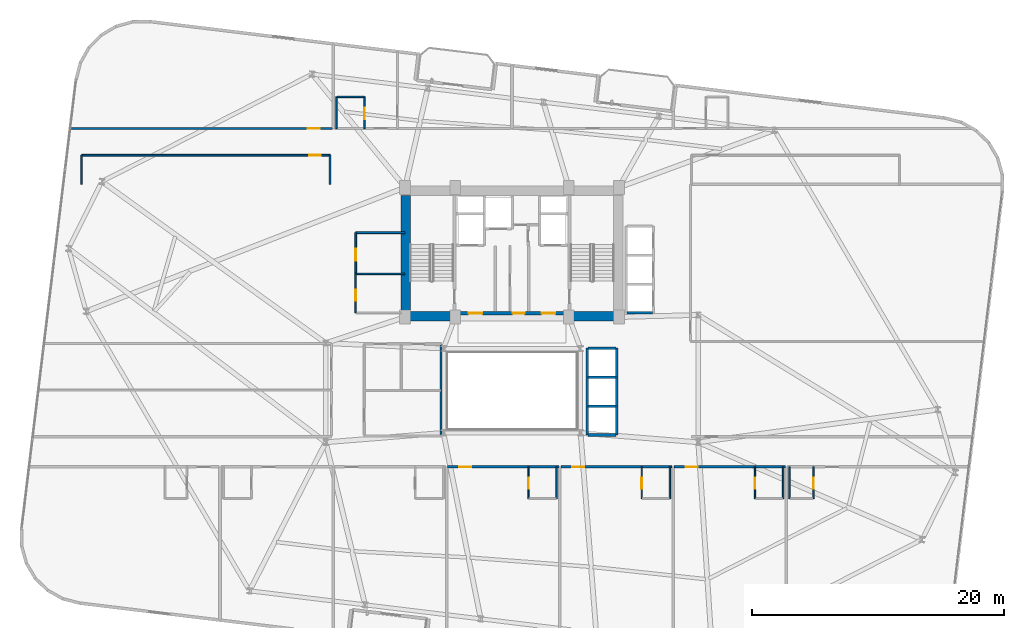
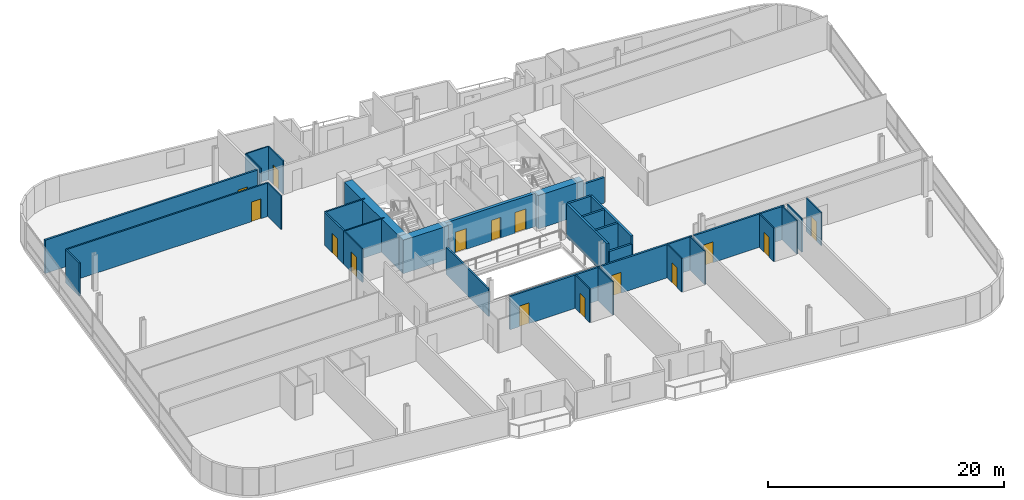
# One storey, part 21 of 26: 34 walls, 15 doors, 15 openings.
"""IFC4 building model written with IfcOpenShell, lengths in metres."""

from ifc_helpers import new_model, si_unit, direction, frame, frame_2d, origin, place, context, subcontext, project, spatial, rectangle, extrude, material, layer, layer_set, type_object, element, fill, save


model = new_model("IFC4")

# Units and contexts
model_context = context("Model", 3, precision=1e-05, world=origin(), true_north=direction((0.0, 1.0)))
body_context = subcontext(model_context, "Body", "Model", "MODEL_VIEW")
ifc_project = project(units=[si_unit("LENGTHUNIT", "METRE"), si_unit("AREAUNIT", "SQUARE_METRE"), si_unit("VOLUMEUNIT", "CUBIC_METRE"), si_unit("PLANEANGLEUNIT", "RADIAN"), si_unit("MASSUNIT", "GRAM", prefix="KILO")], contexts=[model_context])

# Site, building, storey
site_placement = place(None, origin())
site = spatial("IfcSite", under=ifc_project, at=site_placement, CompositionType="ELEMENT")
building_placement = place(site_placement, origin())
building = spatial("IfcBuilding", under=site, at=building_placement, Name="Varnelok Gate Tower", CompositionType="ELEMENT")
storey_placement = place(building_placement, frame((0.0, 0.0, 143.89990234375)))
storey = spatial("IfcBuildingStorey", under=building, at=storey_placement, Name="L36", CompositionType="ELEMENT", Elevation=143.89990234375)

# Wall, opening, door
ifc_material_1 = material(Name="Gypsum Plasterboard Acoustic Partition", Category="gypsum")
ifc_layer_1 = layer(ifc_material_1, 0.179931640625)
ifc_layer_set_1 = layer_set([ifc_layer_1], Name="Gypsum Plasterboard Acoustic Partition")
wall_type_1 = type_object("IfcWallType", Name="PW-CORR-180", PredefinedType="PARTITIONING", material=ifc_layer_set_1)
wall_1_placement = place(storey_placement, frame((34.080078125, 16.85009765625, 0.0), z_axis=(0.0, 0.0, 1.0), x_axis=(1.0, 0.0, 0.0)))
wall_1 = element("IfcWall", 1, at=wall_1_placement, inside=storey, type_object=wall_type_1, Name="Interior Partition", PredefinedType="PARTITIONING", context=body_context, shape_type="SweptSolid", body=[
    extrude(rectangle(XDim=8.83984375, YDim=0.179931640625, at=frame_2d((4.419921875, 0.0))), origin(), (0.0, 0.0, 1.0), 3.4501953125),
])
opening_1_placement = place(wall_1_placement, frame((0.91796875, 0.0, 0.0)))
opening_1 = element("IfcOpeningElement", 2, at=opening_1_placement, cuts=wall_1, Name="Opening D-HT", PredefinedType="OPENING", context=body_context, shape_type="SweptSolid", body=[
    extrude(rectangle(XDim=0.949951171875, YDim=2.14990234375, at=frame_2d((0.47509765625, 1.074951171875))), frame((0.0, 0.099853515625, 0.0), z_axis=(0.0, -1.0, 0.0), x_axis=(1.0, 0.0, 0.0)), (0.0, 0.0, 1.0), 0.199951171875),
])
ifc_material_2 = material(Name="Engineered Hardwood Timber", Category="wood")
door_type_1 = type_object("IfcDoorType", Name="DR-HTL-950", OperationType="NOTDEFINED", PredefinedType="DOOR", material=ifc_material_2)
door_1_placement = place(opening_1_placement, origin())
door_1 = element("IfcDoor", 3, at=door_1_placement, inside=storey, type_object=door_type_1, Name="L36 Guest Room 04 Entrance Door", OperationType="SINGLE_SWING_LEFT", OverallHeight=2.14990234375, OverallWidth=0.949951171875, PredefinedType="DOOR", context=body_context, shape_type="SweptSolid", body=[
    extrude(rectangle(XDim=0.949951171875, YDim=2.14990234375, at=frame_2d((0.47509765625, 1.074951171875))), frame((0.0, 0.02490234375, 0.0), z_axis=(0.0, -1.0, 0.0), x_axis=(1.0, 0.0, 0.0)), (0.0, 0.0, 1.0), 0.050048828125),
])
fill(opening_1, door_1)

wall_2_placement = place(storey_placement, frame((43.080078125, 16.85009765625, 0.0), z_axis=(0.0, 0.0, 1.0), x_axis=(1.0, 0.0, 0.0)))
wall_2 = element("IfcWall", 4, at=wall_2_placement, inside=storey, type_object=wall_type_1, Name="Interior Partition", PredefinedType="PARTITIONING", context=body_context, shape_type="SweptSolid", body=[
    extrude(rectangle(XDim=8.83984375, YDim=0.179931640625, at=frame_2d((4.419921875, 0.0))), origin(), (0.0, 0.0, 1.0), 3.4501953125),
])
opening_2_placement = place(wall_2_placement, frame((0.91796875, 0.0, 0.0)))
opening_2 = element("IfcOpeningElement", 5, at=opening_2_placement, cuts=wall_2, Name="Opening D-HT", PredefinedType="OPENING", context=body_context, shape_type="SweptSolid", body=[
    extrude(rectangle(XDim=0.949951171875, YDim=2.14990234375, at=frame_2d((0.47509765625, 1.074951171875))), frame((0.0, 0.099853515625, 0.0), z_axis=(0.0, -1.0, 0.0), x_axis=(1.0, 0.0, 0.0)), (0.0, 0.0, 1.0), 0.199951171875),
])
door_2_placement = place(opening_2_placement, origin())
door_2 = element("IfcDoor", 6, at=door_2_placement, inside=storey, type_object=door_type_1, Name="L36 Guest Room 05 Entrance Door", OperationType="SINGLE_SWING_RIGHT", OverallHeight=2.14990234375, OverallWidth=0.949951171875, PredefinedType="DOOR", context=body_context, shape_type="SweptSolid", body=[
    extrude(rectangle(XDim=0.949951171875, YDim=2.14990234375, at=frame_2d((0.47509765625, 1.074951171875))), frame((0.0, 0.02490234375, 0.0), z_axis=(0.0, -1.0, 0.0), x_axis=(1.0, 0.0, 0.0)), (0.0, 0.0, 1.0), 0.050048828125),
])
fill(opening_2, door_2)

wall_3_placement = place(storey_placement, frame((52.080078125, 16.85009765625, 0.0), z_axis=(0.0, 0.0, 1.0), x_axis=(1.0, 0.0, 0.0)))
wall_3 = element("IfcWall", 7, at=wall_3_placement, inside=storey, type_object=wall_type_1, Name="Interior Partition", PredefinedType="PARTITIONING", context=body_context, shape_type="SweptSolid", body=[
    extrude(rectangle(XDim=8.83984375, YDim=0.179931640625, at=frame_2d((4.419921875, 0.0))), origin(), (0.0, 0.0, 1.0), 3.4501953125),
])
opening_3_placement = place(wall_3_placement, frame((0.91796875, 0.0, 0.0)))
opening_3 = element("IfcOpeningElement", 8, at=opening_3_placement, cuts=wall_3, Name="Opening D-HT", PredefinedType="OPENING", context=body_context, shape_type="SweptSolid", body=[
    extrude(rectangle(XDim=0.949951171875, YDim=2.14990234375, at=frame_2d((0.47509765625, 1.074951171875))), frame((0.0, 0.099853515625, 0.0), z_axis=(0.0, -1.0, 0.0), x_axis=(1.0, 0.0, 0.0)), (0.0, 0.0, 1.0), 0.199951171875),
])
door_3_placement = place(opening_3_placement, origin())
door_3 = element("IfcDoor", 9, at=door_3_placement, inside=storey, type_object=door_type_1, Name="L36 Guest Room 06 Entrance Door", OperationType="SINGLE_SWING_LEFT", OverallHeight=2.14990234375, OverallWidth=0.949951171875, PredefinedType="DOOR", context=body_context, shape_type="SweptSolid", body=[
    extrude(rectangle(XDim=0.949951171875, YDim=2.14990234375, at=frame_2d((0.47509765625, 1.074951171875))), frame((0.0, 0.02490234375, 0.0), z_axis=(0.0, -1.0, 0.0), x_axis=(1.0, 0.0, 0.0)), (0.0, 0.0, 1.0), 0.050048828125),
])
fill(opening_3, door_3)

wall_4_placement = place(storey_placement, frame((4.142822265625, 43.72998046875, 0.0), z_axis=(0.0, 0.0, 1.0), x_axis=(1.0, 0.0, 0.0)))
wall_4 = element("IfcWall", 10, at=wall_4_placement, inside=storey, type_object=wall_type_1, Name="Interior Partition", PredefinedType="PARTITIONING", context=body_context, shape_type="SweptSolid", body=[
    extrude(rectangle(XDim=20.777099609375, YDim=0.179931640625, at=frame_2d((10.388671875, 0.0))), origin(), (0.0, 0.0, 1.0), 3.4501953125),
])
opening_4_placement = place(wall_4_placement, frame((18.83203125, 0.0, 0.0)))
opening_4 = element("IfcOpeningElement", 11, at=opening_4_placement, cuts=wall_4, Name="Opening D-I2", PredefinedType="OPENING", context=body_context, shape_type="SweptSolid", body=[
    extrude(rectangle(XDim=0.949951171875, YDim=2.050048828125, at=frame_2d((0.47509765625, 1.02490234375))), frame((0.0, 0.099853515625, 0.0), z_axis=(0.0, -1.0, 0.0), x_axis=(1.0, 0.0, 0.0)), (0.0, 0.0, 1.0), 0.199951171875),
])
door_type_2 = type_object("IfcDoorType", Name="DR-INT-950", OperationType="NOTDEFINED", PredefinedType="DOOR", material=ifc_material_2)
door_4_placement = place(opening_4_placement, origin())
door_4 = element("IfcDoor", 12, at=door_4_placement, inside=storey, type_object=door_type_2, Name="L36 Sky Library Door", OperationType="SINGLE_SWING_LEFT", OverallHeight=2.050048828125, OverallWidth=0.949951171875, PredefinedType="DOOR", context=body_context, shape_type="SweptSolid", body=[
    extrude(rectangle(XDim=0.949951171875, YDim=2.050048828125, at=frame_2d((0.47509765625, 1.02490234375))), frame((0.0, 0.02490234375, 0.0), z_axis=(0.0, -1.0, 0.0), x_axis=(1.0, 0.0, 0.0)), (0.0, 0.0, 1.0), 0.050048828125),
])
fill(opening_4, door_4)

ifc_layer_2 = layer(ifc_material_1, 0.114990234375)
ifc_layer_set_2 = layer_set([ifc_layer_2], Name="Gypsum Plasterboard Acoustic Partition")
wall_type_2 = type_object("IfcWallType", Name="PW-ENS-125", PredefinedType="PARTITIONING", material=ifc_layer_set_2)
wall_5_placement = place(storey_placement, frame((40.510009765625, 14.330078125, 0.0), z_axis=(0.0, 0.0, 1.0), x_axis=(0.0, 1.0, 0.0)))
wall_5 = element("IfcWall", 13, at=wall_5_placement, inside=storey, type_object=wall_type_2, Name="Interior Partition", PredefinedType="PARTITIONING", context=body_context, shape_type="SweptSolid", body=[
    extrude(rectangle(XDim=2.52001953125, YDim=0.114990234375, at=frame_2d((1.260009765625, 0.0))), origin(), (0.0, 0.0, 1.0), 3.4501953125),
])
opening_5_placement = place(wall_5_placement, frame((0.760009765625, 0.0, 0.0)))
opening_5 = element("IfcOpeningElement", 14, at=opening_5_placement, cuts=wall_5, Name="Opening D-WC", PredefinedType="OPENING", context=body_context, shape_type="SweptSolid", body=[
    extrude(rectangle(XDim=0.89990234375, YDim=2.050048828125, at=frame_2d((0.449951171875, 1.02490234375))), frame((0.0, 0.0673828125, 0.0), z_axis=(0.0, -1.0, 0.0), x_axis=(1.0, 0.0, 0.0)), (0.0, 0.0, 1.0), 0.135009765625),
])
door_type_3 = type_object("IfcDoorType", Name="DR-BATH-900", OperationType="NOTDEFINED", PredefinedType="DOOR", material=ifc_material_2)
door_5_placement = place(opening_5_placement, origin())
door_5 = element("IfcDoor", 15, at=door_5_placement, inside=storey, type_object=door_type_3, Name="L36 Guest En-Suite 04 Door", OperationType="SINGLE_SWING_RIGHT", OverallHeight=2.050048828125, OverallWidth=0.89990234375, PredefinedType="DOOR", context=body_context, shape_type="SweptSolid", body=[
    extrude(rectangle(XDim=0.89990234375, YDim=2.050048828125, at=frame_2d((0.449951171875, 1.02490234375))), frame((0.0, 0.02490234375, 0.0), z_axis=(0.0, -1.0, 0.0), x_axis=(1.0, 0.0, 0.0)), (0.0, 0.0, 1.0), 0.050048828125),
])
fill(opening_5, door_5)

# Wall
wall_6_placement = place(storey_placement, frame((42.739990234375, 14.330078125, 0.0), z_axis=(0.0, 0.0, 1.0), x_axis=(0.0, 1.0, 0.0)))
element("IfcWall", 16, at=wall_6_placement, inside=storey, type_object=wall_type_2, Name="Interior Partition", PredefinedType="PARTITIONING", context=body_context, shape_type="SweptSolid", body=[
    extrude(rectangle(XDim=2.52001953125, YDim=0.114990234375, at=frame_2d((1.260009765625, 0.0))), origin(), (0.0, 0.0, 1.0), 3.4501953125),
])

# Wall, opening, door
wall_7_placement = place(storey_placement, frame((49.510009765625, 14.330078125, 0.0), z_axis=(0.0, 0.0, 1.0), x_axis=(0.0, 1.0, 0.0)))
wall_7 = element("IfcWall", 17, at=wall_7_placement, inside=storey, type_object=wall_type_2, Name="Interior Partition", PredefinedType="PARTITIONING", context=body_context, shape_type="SweptSolid", body=[
    extrude(rectangle(XDim=2.52001953125, YDim=0.114990234375, at=frame_2d((1.260009765625, 0.0))), origin(), (0.0, 0.0, 1.0), 3.4501953125),
])
opening_6_placement = place(wall_7_placement, frame((0.760009765625, 0.0, 0.0)))
opening_6 = element("IfcOpeningElement", 18, at=opening_6_placement, cuts=wall_7, Name="Opening D-WC", PredefinedType="OPENING", context=body_context, shape_type="SweptSolid", body=[
    extrude(rectangle(XDim=0.89990234375, YDim=2.050048828125, at=frame_2d((0.449951171875, 1.02490234375))), frame((0.0, 0.0673828125, 0.0), z_axis=(0.0, -1.0, 0.0), x_axis=(1.0, 0.0, 0.0)), (0.0, 0.0, 1.0), 0.135009765625),
])
door_6_placement = place(opening_6_placement, origin())
door_6 = element("IfcDoor", 19, at=door_6_placement, inside=storey, type_object=door_type_3, Name="L36 Guest En-Suite 05 Door", OperationType="SINGLE_SWING_RIGHT", OverallHeight=2.050048828125, OverallWidth=0.89990234375, PredefinedType="DOOR", context=body_context, shape_type="SweptSolid", body=[
    extrude(rectangle(XDim=0.89990234375, YDim=2.050048828125, at=frame_2d((0.449951171875, 1.02490234375))), frame((0.0, 0.02490234375, 0.0), z_axis=(0.0, -1.0, 0.0), x_axis=(1.0, 0.0, 0.0)), (0.0, 0.0, 1.0), 0.050048828125),
])
fill(opening_6, door_6)

# Wall
wall_8_placement = place(storey_placement, frame((51.739990234375, 14.330078125, 0.0), z_axis=(0.0, 0.0, 1.0), x_axis=(0.0, 1.0, 0.0)))
element("IfcWall", 20, at=wall_8_placement, inside=storey, type_object=wall_type_2, Name="Interior Partition", PredefinedType="PARTITIONING", context=body_context, shape_type="SweptSolid", body=[
    extrude(rectangle(XDim=2.52001953125, YDim=0.114990234375, at=frame_2d((1.260009765625, 0.0))), origin(), (0.0, 0.0, 1.0), 3.4501953125),
])

# Wall, opening, door
wall_9_placement = place(storey_placement, frame((58.510009765625, 14.330078125, 0.0), z_axis=(0.0, 0.0, 1.0), x_axis=(0.0, 1.0, 0.0)))
wall_9 = element("IfcWall", 21, at=wall_9_placement, inside=storey, type_object=wall_type_2, Name="Interior Partition", PredefinedType="PARTITIONING", context=body_context, shape_type="SweptSolid", body=[
    extrude(rectangle(XDim=2.52001953125, YDim=0.114990234375, at=frame_2d((1.260009765625, 0.0))), origin(), (0.0, 0.0, 1.0), 3.4501953125),
])
opening_7_placement = place(wall_9_placement, frame((0.760009765625, 0.0, 0.0)))
opening_7 = element("IfcOpeningElement", 22, at=opening_7_placement, cuts=wall_9, Name="Opening D-WC", PredefinedType="OPENING", context=body_context, shape_type="SweptSolid", body=[
    extrude(rectangle(XDim=0.89990234375, YDim=2.050048828125, at=frame_2d((0.449951171875, 1.02490234375))), frame((0.0, 0.0673828125, 0.0), z_axis=(0.0, -1.0, 0.0), x_axis=(1.0, 0.0, 0.0)), (0.0, 0.0, 1.0), 0.135009765625),
])
door_7_placement = place(opening_7_placement, origin())
door_7 = element("IfcDoor", 23, at=door_7_placement, inside=storey, type_object=door_type_3, Name="L36 Guest En-Suite 06 Door", OperationType="SINGLE_SWING_RIGHT", OverallHeight=2.050048828125, OverallWidth=0.89990234375, PredefinedType="DOOR", context=body_context, shape_type="SweptSolid", body=[
    extrude(rectangle(XDim=0.89990234375, YDim=2.050048828125, at=frame_2d((0.449951171875, 1.02490234375))), frame((0.0, 0.02490234375, 0.0), z_axis=(0.0, -1.0, 0.0), x_axis=(1.0, 0.0, 0.0)), (0.0, 0.0, 1.0), 0.050048828125),
])
fill(opening_7, door_7)

# Wall
wall_10_placement = place(storey_placement, frame((60.739990234375, 14.330078125, 0.0), z_axis=(0.0, 0.0, 1.0), x_axis=(0.0, 1.0, 0.0)))
element("IfcWall", 24, at=wall_10_placement, inside=storey, type_object=wall_type_2, Name="Interior Partition", PredefinedType="PARTITIONING", context=body_context, shape_type="SweptSolid", body=[
    extrude(rectangle(XDim=2.52001953125, YDim=0.114990234375, at=frame_2d((1.260009765625, 0.0))), origin(), (0.0, 0.0, 1.0), 3.4501953125),
])

# Wall, opening, door
wall_11_placement = place(storey_placement, frame((63.147216796875, 14.330078125, 0.0), z_axis=(0.0, 0.0, 1.0), x_axis=(0.0, 1.0, 0.0)))
wall_11 = element("IfcWall", 25, at=wall_11_placement, inside=storey, type_object=wall_type_2, Name="Interior Partition", PredefinedType="PARTITIONING", context=body_context, shape_type="SweptSolid", body=[
    extrude(rectangle(XDim=2.52001953125, YDim=0.114990234375, at=frame_2d((1.260009765625, 0.0))), origin(), (0.0, 0.0, 1.0), 3.4501953125),
])
opening_8_placement = place(wall_11_placement, frame((0.760009765625, 0.0, 0.0)))
opening_8 = element("IfcOpeningElement", 26, at=opening_8_placement, cuts=wall_11, Name="Opening D-WC", PredefinedType="OPENING", context=body_context, shape_type="SweptSolid", body=[
    extrude(rectangle(XDim=0.89990234375, YDim=2.050048828125, at=frame_2d((0.449951171875, 1.02490234375))), frame((0.0, 0.0673828125, 0.0), z_axis=(0.0, -1.0, 0.0), x_axis=(1.0, 0.0, 0.0)), (0.0, 0.0, 1.0), 0.135009765625),
])
door_8_placement = place(opening_8_placement, origin())
door_8 = element("IfcDoor", 27, at=door_8_placement, inside=storey, type_object=door_type_3, Name="L36 Guest En-Suite 07 Door", OperationType="SINGLE_SWING_LEFT", OverallHeight=2.050048828125, OverallWidth=0.89990234375, PredefinedType="DOOR", context=body_context, shape_type="SweptSolid", body=[
    extrude(rectangle(XDim=0.89990234375, YDim=2.050048828125, at=frame_2d((0.449951171875, 1.02490234375))), frame((0.0, 0.02490234375, 0.0), z_axis=(0.0, -1.0, 0.0), x_axis=(1.0, 0.0, 0.0)), (0.0, 0.0, 1.0), 0.050048828125),
])
fill(opening_8, door_8)

# Walls
wall_12_placement = place(storey_placement, frame((61.260009765625, 14.330078125, 0.0), z_axis=(0.0, 0.0, 1.0), x_axis=(0.0, 1.0, 0.0)))
element("IfcWall", 28, at=wall_12_placement, inside=storey, type_object=wall_type_2, Name="Interior Partition", PredefinedType="PARTITIONING", context=body_context, shape_type="SweptSolid", body=[
    extrude(rectangle(XDim=2.52001953125, YDim=0.114990234375, at=frame_2d((1.260009765625, 0.0))), origin(), (0.0, 0.0, 1.0), 3.4501953125),
])
wall_13_placement = place(storey_placement, frame((25.300048828125, 46.25, 0.0), z_axis=(0.0, 0.0, 1.0), x_axis=(1.0, 0.0, 0.0)))
element("IfcWall", 29, at=wall_13_placement, inside=storey, type_object=wall_type_2, Name="Interior Partition", PredefinedType="PARTITIONING", context=body_context, shape_type="SweptSolid", body=[
    extrude(rectangle(XDim=2.14990234375, YDim=0.114990234375, at=frame_2d((1.074951171875, 0.0))), origin(), (0.0, 0.0, 1.0), 3.4501953125),
])

# Wall, opening, door
wall_14_placement = place(storey_placement, frame((27.489990234375, 43.72998046875, 0.0), z_axis=(0.0, 0.0, 1.0), x_axis=(0.0, 1.0, 0.0)))
wall_14 = element("IfcWall", 30, at=wall_14_placement, inside=storey, type_object=wall_type_2, Name="Interior Partition", PredefinedType="PARTITIONING", context=body_context, shape_type="SweptSolid", body=[
    extrude(rectangle(XDim=2.52001953125, YDim=0.114990234375, at=frame_2d((1.260009765625, 0.0))), origin(), (0.0, 0.0, 1.0), 3.4501953125),
])
opening_9_placement = place(wall_14_placement, frame((0.760009765625, 0.0, 0.0)))
opening_9 = element("IfcOpeningElement", 31, at=opening_9_placement, cuts=wall_14, Name="Opening D-WC", PredefinedType="OPENING", context=body_context, shape_type="SweptSolid", body=[
    extrude(rectangle(XDim=0.89990234375, YDim=2.050048828125, at=frame_2d((0.449951171875, 1.02490234375))), frame((0.0, 0.0673828125, 0.0), z_axis=(0.0, -1.0, 0.0), x_axis=(1.0, 0.0, 0.0)), (0.0, 0.0, 1.0), 0.135009765625),
])
door_9_placement = place(opening_9_placement, origin())
door_9 = element("IfcDoor", 32, at=door_9_placement, inside=storey, type_object=door_type_3, Name="L36 North En-Suite 09 Door", OperationType="SINGLE_SWING_RIGHT", OverallHeight=2.050048828125, OverallWidth=0.89990234375, PredefinedType="DOOR", context=body_context, shape_type="SweptSolid", body=[
    extrude(rectangle(XDim=0.89990234375, YDim=2.050048828125, at=frame_2d((0.449951171875, 1.02490234375))), frame((0.0, 0.02490234375, 0.0), z_axis=(0.0, -1.0, 0.0), x_axis=(1.0, 0.0, 0.0)), (0.0, 0.0, 1.0), 0.050048828125),
])
fill(opening_9, door_9)

# Walls
wall_15_placement = place(storey_placement, frame((25.260009765625, 43.72998046875, 0.0), z_axis=(0.0, 0.0, 1.0), x_axis=(0.0, 1.0, 0.0)))
element("IfcWall", 33, at=wall_15_placement, inside=storey, type_object=wall_type_2, Name="Interior Partition", PredefinedType="PARTITIONING", context=body_context, shape_type="SweptSolid", body=[
    extrude(rectangle(XDim=2.52001953125, YDim=0.114990234375, at=frame_2d((1.260009765625, 0.0))), origin(), (0.0, 0.0, 1.0), 3.4501953125),
])
wall_16_placement = place(storey_placement, frame((26.800048828125, 32.18994140625, 0.0), z_axis=(0.0, 0.0, 1.0), x_axis=(1.0, 0.0, 0.0)))
element("IfcWall", 34, at=wall_16_placement, inside=storey, type_object=wall_type_2, Name="Interior Partition", PredefinedType="PARTITIONING", context=body_context, shape_type="SweptSolid", body=[
    extrude(rectangle(XDim=3.8798828125, YDim=0.114990234375, at=frame_2d((1.93994140625, 0.0))), origin(), (0.0, 0.0, 1.0), 3.4501953125),
])

# Wall, opening, door
wall_17_placement = place(storey_placement, frame((26.780029296875, 29.080078125, 0.0), z_axis=(0.0, 0.0, 1.0), x_axis=(0.0, 1.0, 0.0)))
wall_17 = element("IfcWall", 35, at=wall_17_placement, inside=storey, type_object=wall_type_2, Name="Interior Partition", PredefinedType="PARTITIONING", context=body_context, shape_type="SweptSolid", body=[
    extrude(rectangle(XDim=3.10986328125, YDim=0.114990234375, at=frame_2d((1.554931640625, 0.0))), origin(), (0.0, 0.0, 1.0), 3.4501953125),
])
opening_10_placement = place(wall_17_placement, frame((0.949951171875, 0.0, 0.0)))
opening_10 = element("IfcOpeningElement", 36, at=opening_10_placement, cuts=wall_17, Name="Opening D-WC", PredefinedType="OPENING", context=body_context, shape_type="SweptSolid", body=[
    extrude(rectangle(XDim=0.89990234375, YDim=2.050048828125, at=frame_2d((0.449951171875, 1.02490234375))), frame((0.0, 0.0673828125, 0.0), z_axis=(0.0, -1.0, 0.0), x_axis=(1.0, 0.0, 0.0)), (0.0, 0.0, 1.0), 0.135009765625),
])
door_10_placement = place(opening_10_placement, origin())
door_10 = element("IfcDoor", 37, at=door_10_placement, inside=storey, type_object=door_type_3, Name="L36 Core Floor WC Door", OperationType="SINGLE_SWING_LEFT", OverallHeight=2.050048828125, OverallWidth=0.89990234375, PredefinedType="DOOR", context=body_context, shape_type="SweptSolid", body=[
    extrude(rectangle(XDim=0.89990234375, YDim=2.050048828125, at=frame_2d((0.449951171875, 1.02490234375))), frame((0.0, 0.02490234375, 0.0), z_axis=(0.0, -1.0, 0.0), x_axis=(1.0, 0.0, 0.0)), (0.0, 0.0, 1.0), 0.050048828125),
])
fill(opening_10, door_10)

# Walls
ifc_layer_3 = layer(ifc_material_1, 0.125)
ifc_layer_set_3 = layer_set([ifc_layer_3], Name="Gypsum Plasterboard Acoustic Partition")
wall_type_3 = type_object("IfcWallType", Name="PW-PART-125", PredefinedType="PARTITIONING", material=ifc_layer_set_3)
for number, where, z_axis, x_axis, name in (
    (38, (5.0, 39.300048828125, 0.0), (0.0, 0.0, 1.0), (0.0, 1.0, 0.0), "Interior Partition"),
    (39, (24.739990234375, 39.300048828125, 0.0), (0.0, 0.0, 1.0), (0.0, 1.0, 0.0), "Interior Partition"),
):
    element("IfcWall", number, at=place(storey_placement, frame(where, z_axis=z_axis, x_axis=x_axis)), inside=storey, type_object=wall_type_3, Name=name, PredefinedType="PARTITIONING", context=body_context, shape_type="SweptSolid", body=[
        extrude(rectangle(XDim=2.31005859375, YDim=0.125, at=frame_2d((1.155029296875, 0.0))), origin(), (0.0, 0.0, 1.0), 3.4501953125),
    ])

# Wall, opening, door
ifc_layer_4 = layer(ifc_material_1, 0.14990234375)
ifc_layer_set_4 = layer_set([ifc_layer_4], Name="Gypsum Plasterboard Acoustic Partition")
wall_type_4 = type_object("IfcWallType", Name="PW-PART-150", PredefinedType="PARTITIONING", material=ifc_layer_set_4)
wall_18_placement = place(storey_placement, frame((5.0, 41.610107421875, 0.0), z_axis=(0.0, 0.0, 1.0), x_axis=(1.0, 0.0, 0.0)))
wall_18 = element("IfcWall", 40, at=wall_18_placement, inside=storey, type_object=wall_type_4, Name="Interior Partition", PredefinedType="PARTITIONING", context=body_context, shape_type="SweptSolid", body=[
    extrude(rectangle(XDim=19.739990234375, YDim=0.14990234375, at=frame_2d((9.8701171875, 0.0))), origin(), (0.0, 0.0, 1.0), 3.4501953125),
])
opening_11_placement = place(wall_18_placement, frame((18.095947265625, 0.0, 0.0)))
opening_11 = element("IfcOpeningElement", 41, at=opening_11_placement, cuts=wall_18, Name="Opening D-I3", PredefinedType="OPENING", context=body_context, shape_type="SweptSolid", body=[
    extrude(rectangle(XDim=0.919921875, YDim=2.050048828125, at=frame_2d((0.4599609375, 1.02490234375))), frame((0.0, 0.0849609375, 0.0), z_axis=(0.0, -1.0, 0.0), x_axis=(1.0, 0.0, 0.0)), (0.0, 0.0, 1.0), 0.169921875),
])
door_type_4 = type_object("IfcDoorType", Name="DR-INT-920", OperationType="NOTDEFINED", PredefinedType="DOOR", material=ifc_material_2)
door_11_placement = place(opening_11_placement, origin())
door_11 = element("IfcDoor", 42, at=door_11_placement, inside=storey, type_object=door_type_4, Name="L36 North Study 1 Door", OperationType="SINGLE_SWING_RIGHT", OverallHeight=2.050048828125, OverallWidth=0.919921875, PredefinedType="DOOR", context=body_context, shape_type="SweptSolid", body=[
    extrude(rectangle(XDim=0.919921875, YDim=2.050048828125, at=frame_2d((0.4599609375, 1.02490234375))), frame((0.0, 0.02490234375, 0.0), z_axis=(0.0, -1.0, 0.0), x_axis=(1.0, 0.0, 0.0)), (0.0, 0.0, 1.0), 0.050048828125),
])
fill(opening_11, door_11)

# Walls
wall_19_placement = place(storey_placement, frame((33.56005859375, 19.3798828125, 0.0), z_axis=(0.0, 0.0, 1.0), x_axis=(0.0, 1.0, 0.0)))
element("IfcWall", 43, at=wall_19_placement, inside=storey, type_object=wall_type_4, Name="Interior Partition", PredefinedType="PARTITIONING", context=body_context, shape_type="SweptSolid", body=[
    extrude(rectangle(XDim=7.16015625, YDim=0.14990234375, at=frame_2d((3.580078125, 0.0))), origin(), (0.0, 0.0, 1.0), 2.82421875),
])
wall_20_placement = place(storey_placement, frame((26.780029296875, 35.4599609375, 0.0), z_axis=(0.0, 0.0, 1.0), x_axis=(1.0, 0.0, 0.0)))
element("IfcWall", 44, at=wall_20_placement, inside=storey, type_object=wall_type_4, Name="Interior Partition", PredefinedType="PARTITIONING", context=body_context, shape_type="SweptSolid", body=[
    extrude(rectangle(XDim=3.89990234375, YDim=0.14990234375, at=frame_2d((1.949951171875, 0.0))), origin(), (0.0, 0.0, 1.0), 3.4501953125),
])

# Wall, opening, door
wall_21_placement = place(storey_placement, frame((26.780029296875, 32.18994140625, 0.0), z_axis=(0.0, 0.0, 1.0), x_axis=(0.0, 1.0, 0.0)))
wall_21 = element("IfcWall", 45, at=wall_21_placement, inside=storey, type_object=wall_type_4, Name="Interior Partition", PredefinedType="PARTITIONING", context=body_context, shape_type="SweptSolid", body=[
    extrude(rectangle(XDim=3.27001953125, YDim=0.14990234375, at=frame_2d((1.635009765625, 0.0))), origin(), (0.0, 0.0, 1.0), 3.4501953125),
])
opening_12_placement = place(wall_21_placement, frame((1.050048828125, 0.0, 0.0)))
opening_12 = element("IfcOpeningElement", 46, at=opening_12_placement, cuts=wall_21, Name="Opening D-I3", PredefinedType="OPENING", context=body_context, shape_type="SweptSolid", body=[
    extrude(rectangle(XDim=0.919921875, YDim=2.050048828125, at=frame_2d((0.4599609375, 1.02490234375))), frame((0.0, 0.0849609375, 0.0), z_axis=(0.0, -1.0, 0.0), x_axis=(1.0, 0.0, 0.0)), (0.0, 0.0, 1.0), 0.169921875),
])
door_12_placement = place(opening_12_placement, origin())
door_12 = element("IfcDoor", 47, at=door_12_placement, inside=storey, type_object=door_type_4, Name="L36 Core Pantry Door", OperationType="SINGLE_SWING_RIGHT", OverallHeight=2.050048828125, OverallWidth=0.919921875, PredefinedType="DOOR", context=body_context, shape_type="SweptSolid", body=[
    extrude(rectangle(XDim=0.919921875, YDim=2.050048828125, at=frame_2d((0.4599609375, 1.02490234375))), frame((0.0, 0.02490234375, 0.0), z_axis=(0.0, -1.0, 0.0), x_axis=(1.0, 0.0, 0.0)), (0.0, 0.0, 1.0), 0.050048828125),
])
fill(opening_12, door_12)

# Walls
ifc_material_3 = material(Name="Concrete C35/45", Category="concrete")
ifc_layer_5 = layer(ifc_material_3, 0.199951171875)
ifc_layer_set_5 = layer_set([ifc_layer_5], Name="Concrete C35/45")
wall_type_5 = type_object("IfcWallType", Name="PW-SHAFT-200", PredefinedType="PARTITIONING", material=ifc_layer_set_5)
wall_22_placement = place(storey_placement, frame((48.320068359375, 29.080078125, 0.0), z_axis=(0.0, 0.0, 1.0), x_axis=(1.0, 0.0, 0.0)))
element("IfcWall", 48, at=wall_22_placement, inside=storey, type_object=wall_type_5, Name="L36 PM Bank South Wall", PredefinedType="PARTITIONING", context=body_context, shape_type="SweptSolid", body=[
    extrude(rectangle(XDim=2.059814453125, YDim=0.199951171875, at=frame_2d((1.02978515625, 0.0))), origin(), (0.0, 0.0, 1.0), 2.662109375),
])
for number, where, z_axis, x_axis, name in (
    (49, (45.239990234375, 21.675048828125, 0.0), (0.0, 0.0, 1.0), (1.0, 0.0, 0.0), "L36 PH1 Divider"),
    (50, (45.239990234375, 23.97509765625, 0.0), (0.0, 0.0, 1.0), (1.0, 0.0, 0.0), "L36 PH2 Divider"),
):
    element("IfcWall", number, at=place(storey_placement, frame(where, z_axis=z_axis, x_axis=x_axis)), inside=storey, type_object=wall_type_5, Name=name, PredefinedType="PARTITIONING", context=body_context, shape_type="SweptSolid", body=[
        extrude(rectangle(XDim=2.219970703125, YDim=0.199951171875, at=frame_2d((1.10986328125, 0.0))), origin(), (0.0, 0.0, 1.0), 3.4501953125),
    ])
wall_23_placement = place(storey_placement, frame((45.239990234375, 19.3798828125, 0.0), z_axis=(0.0, 0.0, 1.0), x_axis=(1.0, 0.0, 0.0)))
element("IfcWall", 51, at=wall_23_placement, inside=storey, type_object=wall_type_5, Name="L36 PH Bank South Wall", PredefinedType="PARTITIONING", context=body_context, shape_type="SweptSolid", body=[
    extrude(rectangle(XDim=2.219970703125, YDim=0.199951171875, at=frame_2d((1.10986328125, 0.0))), origin(), (0.0, 0.0, 1.0), 2.662109375),
])
wall_24_placement = place(storey_placement, frame((45.239990234375, 26.280029296875, 0.0), z_axis=(0.0, 0.0, 1.0), x_axis=(1.0, 0.0, 0.0)))
element("IfcWall", 52, at=wall_24_placement, inside=storey, type_object=wall_type_5, Name="L36 PH Bank North Wall", PredefinedType="PARTITIONING", context=body_context, shape_type="SweptSolid", body=[
    extrude(rectangle(XDim=2.219970703125, YDim=0.199951171875, at=frame_2d((1.10986328125, 0.0))), origin(), (0.0, 0.0, 1.0), 3.4501953125),
])
for number, where, z_axis, x_axis, name in (
    (53, (45.179931640625, 19.3798828125, 0.0), (0.0, 0.0, 1.0), (0.0, 1.0, 0.0), "L36 PH Bank Atrium Wall"),
    (54, (47.52001953125, 19.3798828125, 0.0), (0.0, 0.0, 1.0), (0.0, 1.0, 0.0), "L36 PH Bank Front Wall"),
):
    element("IfcWall", number, at=place(storey_placement, frame(where, z_axis=z_axis, x_axis=x_axis)), inside=storey, type_object=wall_type_5, Name=name, PredefinedType="PARTITIONING", context=body_context, shape_type="SweptSolid", body=[
        extrude(rectangle(XDim=6.900146484375, YDim=0.199951171875, at=frame_2d((3.4501953125, 0.0))), origin(), (0.0, 0.0, 1.0), 3.4501953125),
    ])
ifc_material_4 = material(Name="Concrete C70/85", Category="concrete")
ifc_layer_6 = layer(ifc_material_4, 0.75)
ifc_layer_set_6 = layer_set([ifc_layer_6], Name="Concrete C70/85")
wall_type_6 = type_object("IfcWallType", Name="SW-CORE-750", PredefinedType="SHEAR", material=ifc_layer_set_6)
wall_25_placement = place(storey_placement, frame((30.7548828125, 29.199951171875, 0.0), z_axis=(0.0, 0.0, 1.0), x_axis=(0.0, 1.0, 0.0)))
element("IfcWall", 55, at=wall_25_placement, inside=storey, type_object=wall_type_6, Name="L36 Rear Core West Shear Wall", PredefinedType="SHEAR", context=body_context, shape_type="SweptSolid", body=[
    extrude(rectangle(XDim=9.219970703125, YDim=0.75, at=frame_2d((4.60986328125, 0.0))), origin(), (0.0, 0.0, 1.0), 3.4501953125),
])
wall_26_placement = place(storey_placement, frame((30.3798828125, 28.824951171875, 0.0), z_axis=(0.0, 0.0, 1.0), x_axis=(1.0, 0.0, 0.0)))
element("IfcWall", 56, at=wall_26_placement, inside=storey, type_object=wall_type_6, Name="L36 Rear Core South-West Shear Wall", PredefinedType="SHEAR", context=body_context, shape_type="SweptSolid", body=[
    extrude(rectangle(XDim=4.420166015625, YDim=0.75, at=frame_2d((2.2099609375, 0.0))), origin(), (0.0, 0.0, 1.0), 3.4501953125),
])
wall_27_placement = place(storey_placement, frame((43.60009765625, 28.824951171875, 0.0), z_axis=(0.0, 0.0, 1.0), x_axis=(1.0, 0.0, 0.0)))
element("IfcWall", 57, at=wall_27_placement, inside=storey, type_object=wall_type_6, Name="L36 Rear Core South-East Shear Wall", PredefinedType="SHEAR", context=body_context, shape_type="SweptSolid", body=[
    extrude(rectangle(XDim=4.419921875, YDim=0.75, at=frame_2d((2.2099609375, 0.0))), origin(), (0.0, 0.0, 1.0), 3.4501953125),
])

# Wall, openings, doors
ifc_material_5 = material(Name="Concrete C60/75", Category="concrete")
ifc_layer_7 = layer(ifc_material_5, 0.300048828125)
ifc_layer_set_7 = layer_set([ifc_layer_7], Name="Concrete C60/75")
wall_type_7 = type_object("IfcWallType", Name="SW-SHAFT-300", PredefinedType="SHEAR", material=ifc_layer_set_7)
wall_28_placement = place(storey_placement, frame((34.800048828125, 29.050048828125, 0.0), z_axis=(0.0, 0.0, 1.0), x_axis=(1.0, 0.0, 0.0)))
wall_28 = element("IfcWall", 58, at=wall_28_placement, inside=storey, type_object=wall_type_7, Name="L36 Rear Core Central Lobby Shear Wall", PredefinedType="SHEAR", context=body_context, shape_type="SweptSolid", body=[
    extrude(rectangle(XDim=8.800048828125, YDim=0.300048828125, at=frame_2d((4.39990234375, 0.0))), origin(), (0.0, 0.0, 1.0), 3.4501953125),
])
opening_13_placement = place(wall_28_placement, frame((0.949951171875, 0.0, 0.0)))
opening_13 = element("IfcOpeningElement", 59, at=opening_13_placement, cuts=wall_28, Name="Opening D-FF", PredefinedType="OPENING", context=body_context, shape_type="SweptSolid", body=[
    extrude(rectangle(XDim=1.10009765625, YDim=2.14990234375, at=frame_2d((0.550048828125, 1.074951171875))), frame((0.0, 0.159912109375, 0.0), z_axis=(0.0, -1.0, 0.0), x_axis=(1.0, 0.0, 0.0)), (0.0, 0.0, 1.0), 0.320068359375),
])
opening_14_placement = place(wall_28_placement, frame((6.75, 0.0, 0.0)))
opening_14 = element("IfcOpeningElement", 60, at=opening_14_placement, cuts=wall_28, Name="Opening D-FF", PredefinedType="OPENING", context=body_context, shape_type="SweptSolid", body=[
    extrude(rectangle(XDim=1.10009765625, YDim=2.14990234375, at=frame_2d((0.550048828125, 1.074951171875))), frame((0.0, 0.159912109375, 0.0), z_axis=(0.0, -1.0, 0.0), x_axis=(1.0, 0.0, 0.0)), (0.0, 0.0, 1.0), 0.320068359375),
])
opening_15_placement = place(wall_28_placement, frame((4.449951171875, 0.0, 0.0)))
opening_15 = element("IfcOpeningElement", 61, at=opening_15_placement, cuts=wall_28, Name="Opening D-CR", PredefinedType="OPENING", context=body_context, shape_type="SweptSolid", body=[
    extrude(rectangle(XDim=0.949951171875, YDim=2.14990234375, at=frame_2d((0.47509765625, 1.074951171875))), frame((0.0, 0.159912109375, 0.0), z_axis=(0.0, -1.0, 0.0), x_axis=(1.0, 0.0, 0.0)), (0.0, 0.0, 1.0), 0.320068359375),
])
ifc_material_6 = material(Name="Galvanized Steel Grade S350GD", Category="steel")
door_type_5 = type_object("IfcDoorType", Name="DR-CORR-950", OperationType="NOTDEFINED", PredefinedType="DOOR", material=ifc_material_6)
door_13_placement = place(opening_15_placement, origin())
door_13 = element("IfcDoor", 62, at=door_13_placement, inside=storey, type_object=door_type_5, Name="L36 Core Service Passage Door", OperationType="SINGLE_SWING_LEFT", OverallHeight=2.14990234375, OverallWidth=0.949951171875, PredefinedType="DOOR", context=body_context, shape_type="SweptSolid", body=[
    extrude(rectangle(XDim=0.949951171875, YDim=2.14990234375, at=frame_2d((0.47509765625, 1.074951171875))), frame((0.0, 0.02490234375, 0.0), z_axis=(0.0, -1.0, 0.0), x_axis=(1.0, 0.0, 0.0)), (0.0, 0.0, 1.0), 0.050048828125),
])
fill(opening_15, door_13)
door_type_6 = type_object("IfcDoorType", Name="DR-FFLOB-1100", OperationType="NOTDEFINED", PredefinedType="DOOR", material=ifc_material_6)
door_14_placement = place(opening_13_placement, origin())
door_14 = element("IfcDoor", 63, at=door_14_placement, inside=storey, type_object=door_type_6, Name="L36 West Firefighting Lobby Fire Door", OperationType="SINGLE_SWING_RIGHT", OverallHeight=2.14990234375, OverallWidth=1.10009765625, PredefinedType="DOOR", context=body_context, shape_type="SweptSolid", body=[
    extrude(rectangle(XDim=1.10009765625, YDim=2.14990234375, at=frame_2d((0.550048828125, 1.074951171875))), frame((0.0, 0.02490234375, 0.0), z_axis=(0.0, -1.0, 0.0), x_axis=(1.0, 0.0, 0.0)), (0.0, 0.0, 1.0), 0.050048828125),
])
fill(opening_13, door_14)
door_15_placement = place(opening_14_placement, origin())
door_15 = element("IfcDoor", 64, at=door_15_placement, inside=storey, type_object=door_type_6, Name="L36 East Firefighting Lobby Fire Door", OperationType="SINGLE_SWING_LEFT", OverallHeight=2.14990234375, OverallWidth=1.10009765625, PredefinedType="DOOR", context=body_context, shape_type="SweptSolid", body=[
    extrude(rectangle(XDim=1.10009765625, YDim=2.14990234375, at=frame_2d((0.550048828125, 1.074951171875))), frame((0.0, 0.02490234375, 0.0), z_axis=(0.0, -1.0, 0.0), x_axis=(1.0, 0.0, 0.0)), (0.0, 0.0, 1.0), 0.050048828125),
])
fill(opening_14, door_15)

save(model, "model.ifc")
